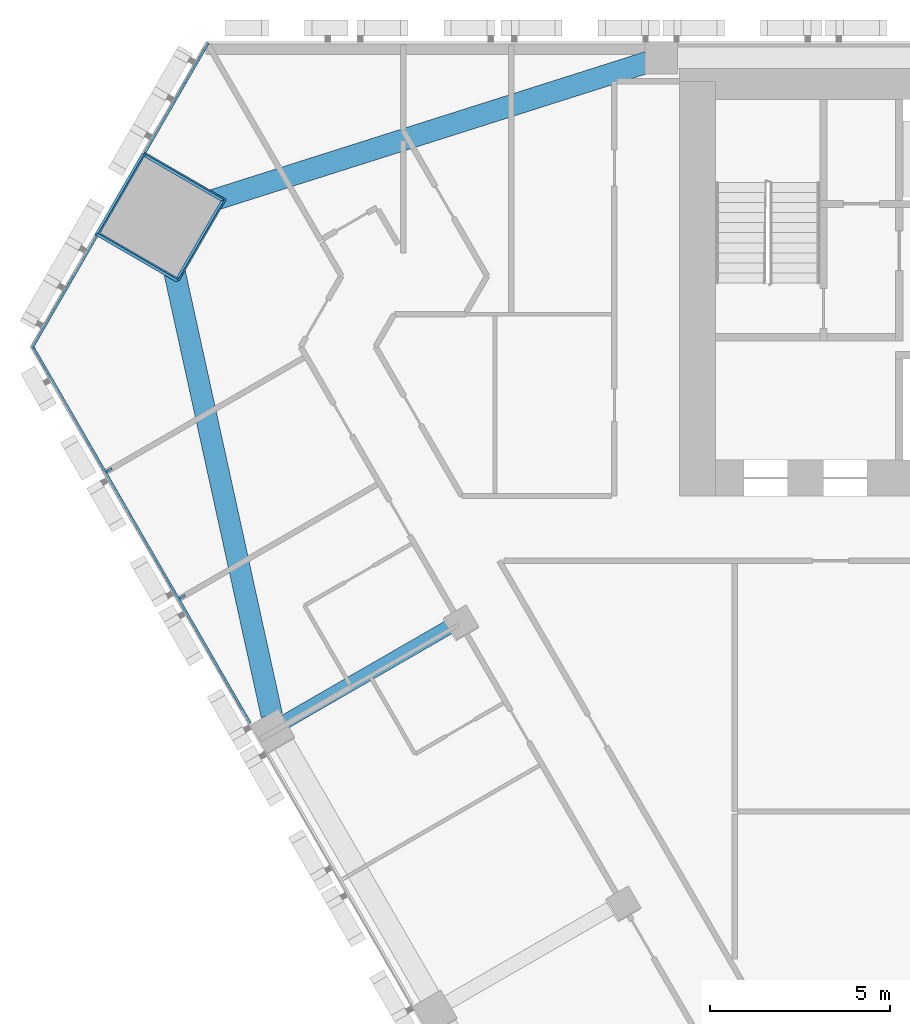
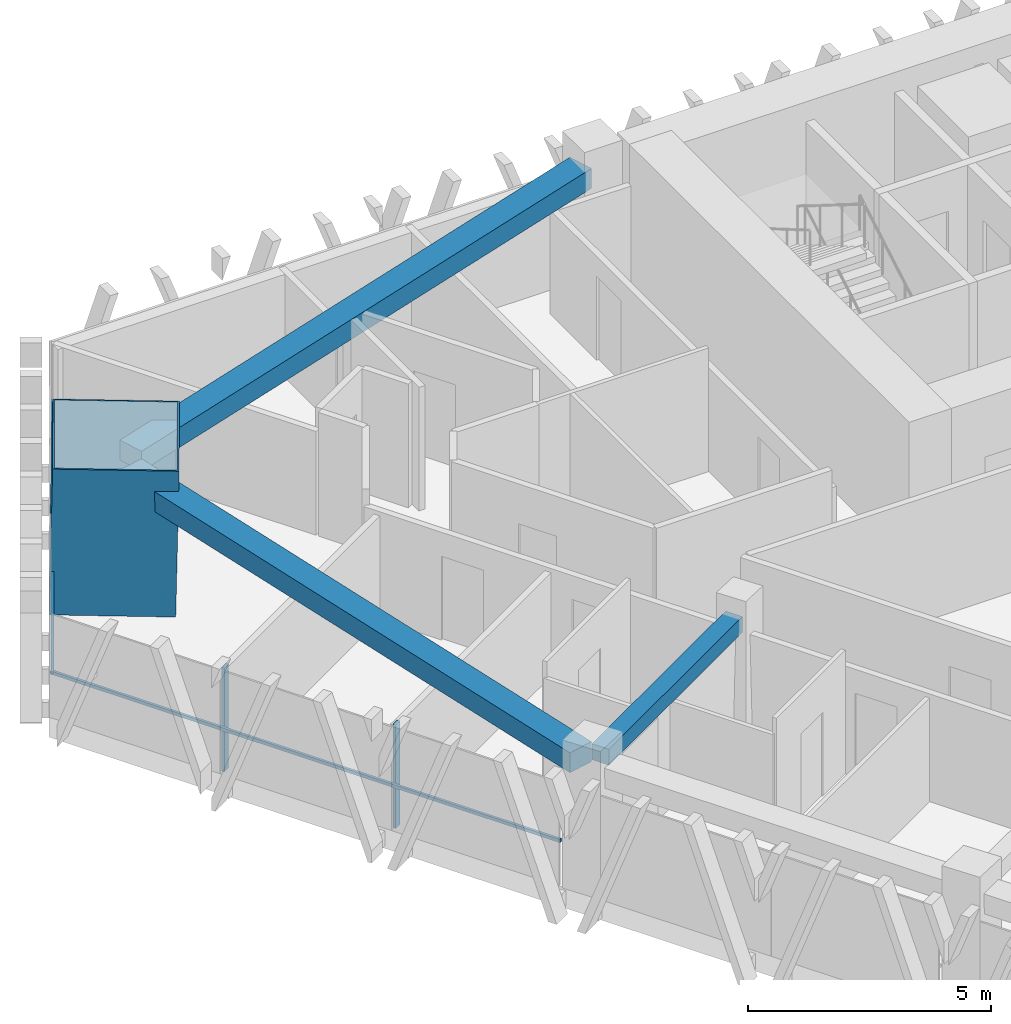
# One storey, part 6 of 18: 6 members, 3 beams, 2 elements without a shape of their own.
"""IFC4 building model written with IfcOpenShell, lengths in metres."""

from ifc_helpers import new_model, si_unit, direction, frame, origin, origin_2d, place, context, subcontext, project, spatial, rectangle, hollow_rectangle, extrude, material, layer, layer_set, material_profile, profile_set, type_object, element, aggregate, save


model = new_model("IFC4")

# Units and contexts
model_context = context("Model", 3, precision=1e-05, world=origin(), true_north=direction((0.0, 1.0)))
body_context = subcontext(model_context, "Body", "Model", "MODEL_VIEW")
ifc_project = project(units=[si_unit("LENGTHUNIT", "METRE"), si_unit("AREAUNIT", "SQUARE_METRE"), si_unit("VOLUMEUNIT", "CUBIC_METRE"), si_unit("PLANEANGLEUNIT", "RADIAN"), si_unit("MASSUNIT", "GRAM", prefix="KILO")], contexts=[model_context])

# Site, building, storey
site_placement = place(None, origin())
site = spatial("IfcSite", under=ifc_project, at=site_placement, CompositionType="ELEMENT")
building_placement = place(site_placement, origin())
building = spatial("IfcBuilding", under=site, at=building_placement, Name="Altiplano Prism Tower", CompositionType="ELEMENT")
storey_placement = place(building_placement, frame((0.0, 0.0, 37.800048828125)))
storey = spatial("IfcBuildingStorey", under=building, at=storey_placement, Name="L08", CompositionType="ELEMENT", Elevation=37.800048828125)

# Curtain wall, members
ifc_material_1 = material(Name="Aluminium and glass", Category="aluminium")
ifc_layer = layer(ifc_material_1, 0.280029296875)
ifc_layer_set = layer_set([ifc_layer], Name="Aluminium and glass")
curtain_wall_type = type_object("IfcCurtainWallType", Name="CW1 typical co-living unitised curtain wall", PredefinedType="NOTDEFINED", material=ifc_layer_set)
curtain_wall_1_placement = place(storey_placement, origin())
curtain_wall_1 = element("IfcCurtainWall", 1, at=curtain_wall_1_placement, inside=storey, type_object=curtain_wall_type, Name="CW1 curtain wall south-west face L08", PredefinedType="NOTDEFINED")
ifc_material_2 = material(Name="Aluminium", Category="aluminium")
ifc_material_profile_1 = material_profile(ifc_material_2, rectangle(XDim=0.179931640625, YDim=0.06494140625, at=origin_2d()), Name="CW1 mullion 65 x 180")
ifc_profile_set_1 = profile_set([ifc_material_profile_1], Name="Aluminium")
member_type_1 = type_object("IfcMemberType", Name="CW1 mullion 65 x 180", PredefinedType="MULLION", material=ifc_profile_set_1)
member_1_placement = place(storey_placement, frame((56.18701171875, 93.116943359375, 0.0), z_axis=(0.0, 0.0, 1.0), x_axis=(0.8660254093, 0.499999990447, 0.0)))
member_1 = element("IfcMember", 2, at=member_1_placement, type_object=member_type_1, Name="CW1 mullion", PredefinedType="MULLION", context=body_context, shape_type="SweptSolid", body=[
    extrude(rectangle(XDim=0.179931640625, YDim=0.06494140625, at=origin_2d()), origin(), (0.0, 0.0, 1.0), 2.599853515625),
])
member_2_placement = place(storey_placement, frame((58.218017578125, 89.59912109375, 0.0), z_axis=(0.0, 0.0, 1.0), x_axis=(0.8660254093, 0.499999990447, 0.0)))
member_2 = element("IfcMember", 3, at=member_2_placement, type_object=member_type_1, Name="CW1 mullion", PredefinedType="MULLION", context=body_context, shape_type="SweptSolid", body=[
    extrude(rectangle(XDim=0.179931640625, YDim=0.06494140625, at=origin_2d()), origin(), (0.0, 0.0, 1.0), 2.599853515625),
])

curtain_wall_2_placement = place(storey_placement, origin())
curtain_wall_2 = element("IfcCurtainWall", 4, at=curtain_wall_2_placement, inside=storey, type_object=curtain_wall_type, Name="CW1 curtain wall north-west chamfer L08", PredefinedType="NOTDEFINED")
ifc_material_profile_2 = material_profile(ifc_material_2, rectangle(XDim=0.06005859375, YDim=0.080078125, at=origin_2d()), Name="CW1 transom 80 x 60")
ifc_profile_set_2 = profile_set([ifc_material_profile_2], Name="Aluminium")
member_type_2 = type_object("IfcMemberType", Name="CW1 transom 80 x 60", PredefinedType="USERDEFINED", material=ifc_profile_set_2)
member_3_placement = place(storey_placement, frame((58.9365234375, 104.965087890625, 1.099853515625), z_axis=(-0.499967682532, -0.866044061479, 0.0), x_axis=(0.866044061479, -0.499967682532, 0.0)))
member_3 = element("IfcMember", 5, at=member_3_placement, type_object=member_type_2, Name="CW1 transom", ObjectType="TRANSOM", PredefinedType="USERDEFINED", context=body_context, shape_type="SweptSolid", body=[
    extrude(rectangle(XDim=0.06005859375, YDim=0.080078125, at=origin_2d()), origin(), (0.0, 0.0, 1.0), 3.504638671875),
])
member_4_placement = place(storey_placement, frame((55.84423828125, 99.609130859375, 1.099853515625), z_axis=(-0.499970065704, -0.866042685668, 0.0), x_axis=(0.866042685668, -0.499970065704, 0.0)))
member_4 = element("IfcMember", 6, at=member_4_placement, type_object=member_type_2, Name="CW1 transom", ObjectType="TRANSOM", PredefinedType="USERDEFINED", context=body_context, shape_type="SweptSolid", body=[
    extrude(rectangle(XDim=0.06005859375, YDim=0.080078125, at=origin_2d()), origin(), (0.0, 0.0, 1.0), 3.584716796875),
])
aggregate(curtain_wall_2, [member_3, member_4])

# Member
member_5_placement = place(storey_placement, frame((54.052001953125, 96.57470703125, 1.099853515625), z_axis=(0.500007853624, -0.866020869445, 0.0), x_axis=(0.866020869445, 0.500007853624, 0.0)))
member_5 = element("IfcMember", 7, at=member_5_placement, type_object=member_type_2, Name="CW1 transom", ObjectType="TRANSOM", PredefinedType="USERDEFINED", context=body_context, shape_type="SweptSolid", body=[
    extrude(rectangle(XDim=0.06005859375, YDim=0.080078125, at=origin_2d()), origin(), (0.0, 0.0, 1.0), 12.094482421875),
])

aggregate(curtain_wall_1, [member_1, member_2, member_5])

# Beams
ifc_material_3 = material(Name="Concrete C60/75", Category="concrete")
ifc_material_profile_3 = material_profile(ifc_material_3, rectangle(XDim=0.60009765625, YDim=0.5, at=origin_2d()), Name="Edge beam 600x500")
ifc_profile_set_3 = profile_set([ifc_material_profile_3], Name="Concrete C60/75")
beam_type_1 = type_object("IfcBeamType", Name="Edge beam 600x500", PredefinedType="SPANDREL", material=ifc_profile_set_3)
for number, where, z_axis, x_axis, name in (
    (8, (71.164306640625, 104.443359375, 2.849853515625), (-0.953052382481, -0.30280547592, 0.0), (0.30280547592, -0.953052382481, 0.0), "Edge beam P04-M0 L09"),
    (9, (57.75830078125, 99.713623046875, 2.849853515625), (0.214280156074, -0.976772243009, 0.0), (0.976772243009, 0.214280156074, 0.0), "Edge beam M0-P11 L09"),
):
    element("IfcBeam", number, at=place(storey_placement, frame(where, z_axis=z_axis, x_axis=x_axis)), inside=storey, type_object=beam_type_1, Name=name, PredefinedType="SPANDREL", context=body_context, shape_type="SweptSolid", body=[
        extrude(rectangle(XDim=0.60009765625, YDim=0.5, at=origin_2d()), origin(), (0.0, 0.0, 1.0), 13.7177734375),
    ])

# Member
ifc_material_4 = material(Name="Steel S460", Category="steel")
ifc_material_profile_4 = material_profile(ifc_material_4, hollow_rectangle(XDim=2.60009765625, YDim=2.60009765625, WallThickness=0.0400390625, at=origin_2d()), Name="Mega column tube 2600")
ifc_profile_set_4 = profile_set([ifc_material_profile_4], Name="Steel S460")
member_type_3 = type_object("IfcMemberType", Name="Mega column tube 2600", PredefinedType="POST", material=ifc_profile_set_4)
member_6_placement = place(storey_placement, frame((57.5595703125, 100.119873046875, 0.0), z_axis=(0.028403739082, 0.009219352065, 0.999554016126), x_axis=(-0.865120076152, 0.501167445074, 0.01996110813)))
element("IfcMember", 10, at=member_6_placement, inside=storey, type_object=member_type_3, Name="Mega column tube M0 L08", PredefinedType="POST", context=body_context, shape_type="SweptSolid", body=[
    extrude(hollow_rectangle(XDim=2.60009765625, YDim=2.60009765625, WallThickness=0.0400390625, at=origin_2d()), origin(), (0.0, 0.0, 1.0), 3.6015625),
])

# Beam
ifc_material_profile_5 = material_profile(ifc_material_3, rectangle(XDim=0.39990234375, YDim=0.39990234375, at=origin_2d()), Name="Tie beam 400x400")
ifc_profile_set_5 = profile_set([ifc_material_profile_5], Name="Concrete C60/75")
beam_type_2 = type_object("IfcBeamType", Name="Tie beam 400x400", PredefinedType="BEAM", material=ifc_profile_set_5)
beam_placement = place(storey_placement, frame((65.8134765625, 88.880615234375, 2.89990234375), z_axis=(-0.866023410697, -0.500003452112, 0.0), x_axis=(0.500003452112, -0.866023410697, 0.0)))
element("IfcBeam", 11, at=beam_placement, inside=storey, type_object=beam_type_2, Name="Tie beam I11 L09", PredefinedType="BEAM", context=body_context, shape_type="SweptSolid", body=[
    extrude(rectangle(XDim=0.39990234375, YDim=0.39990234375, at=origin_2d()), origin(), (0.0, 0.0, 1.0), 5.490234375),
])

save(model, "model.ifc")
